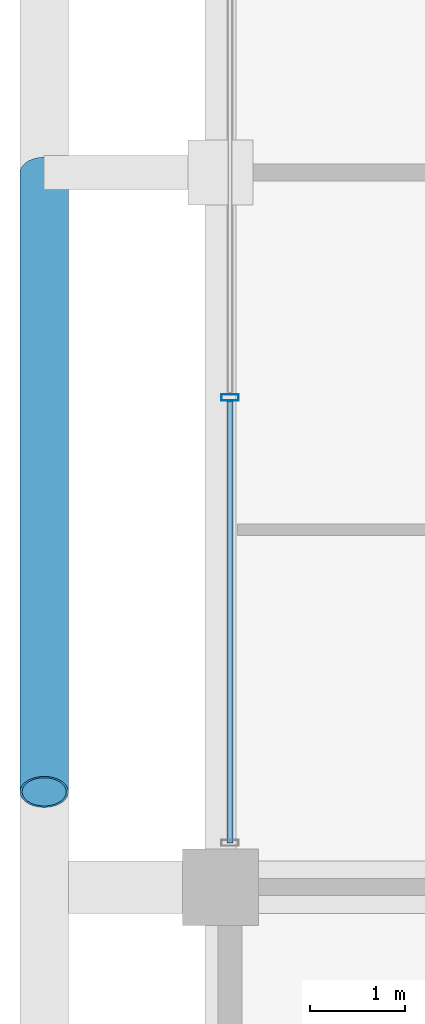
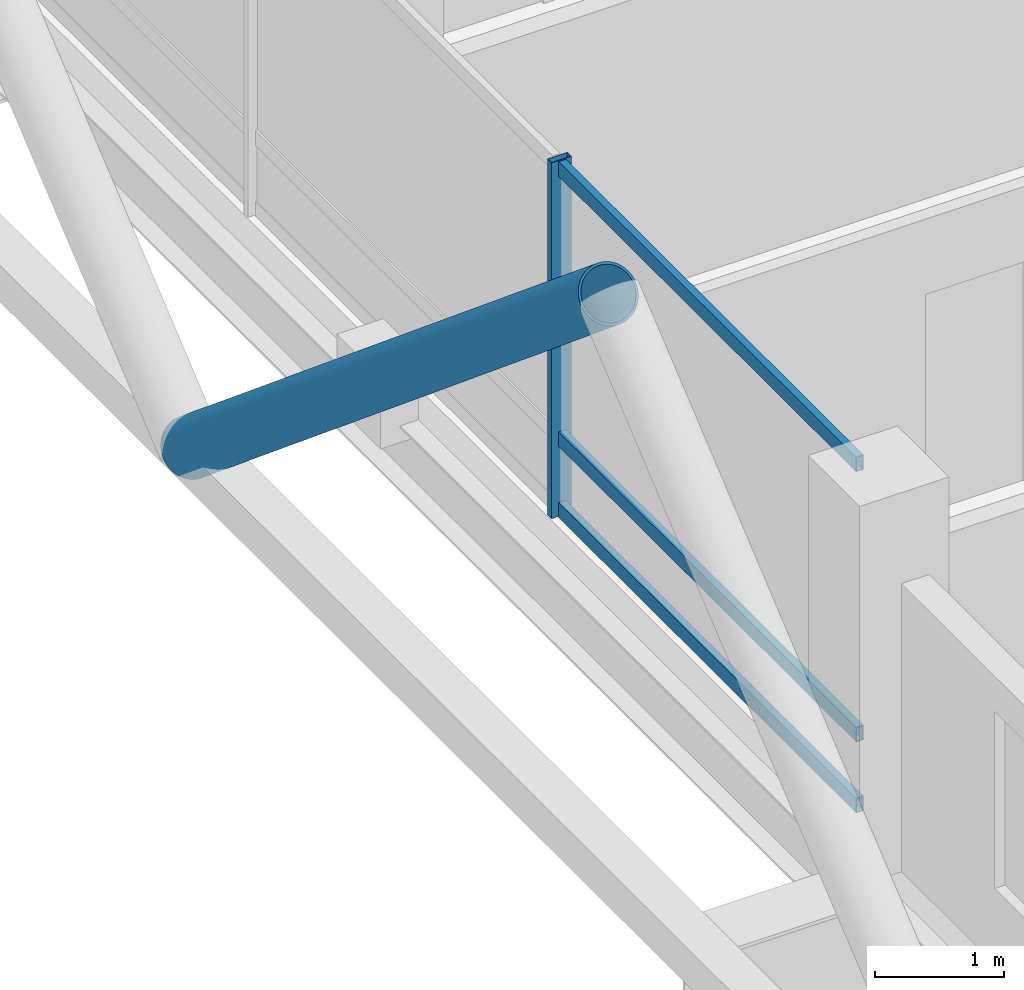
# One storey, part 3 of 21: 5 members, 1 element without a shape of its own.
"""IFC4 building model written with IfcOpenShell, lengths in metres."""

from ifc_helpers import new_model, si_unit, direction, frame, origin, origin_2d, place, context, subcontext, project, spatial, hollow_rectangle, hollow_circle, extrude, material, layer, layer_set, material_profile, profile_set, type_object, element, aggregate, save


model = new_model("IFC4")

# Units and contexts
model_context = context("Model", 3, precision=1e-05, world=origin(), true_north=direction((0.0, 1.0)))
body_context = subcontext(model_context, "Body", "Model", "MODEL_VIEW")
ifc_project = project(units=[si_unit("LENGTHUNIT", "METRE"), si_unit("AREAUNIT", "SQUARE_METRE"), si_unit("VOLUMEUNIT", "CUBIC_METRE"), si_unit("PLANEANGLEUNIT", "RADIAN"), si_unit("MASSUNIT", "GRAM", prefix="KILO")], contexts=[model_context])

# Site, building, storey
site_placement = place(None, origin())
site = spatial("IfcSite", under=ifc_project, at=site_placement, CompositionType="ELEMENT")
building_placement = place(site_placement, origin())
building = spatial("IfcBuilding", under=site, at=building_placement, Name="Barlavira Tower and Art Museum", CompositionType="ELEMENT")
storey_placement = place(building_placement, frame((0.0, 0.0, 99.0)))
storey = spatial("IfcBuildingStorey", under=building, at=storey_placement, Name="L24", CompositionType="ELEMENT", Elevation=99.0)

# Curtain wall, members
ifc_material_1 = material(Name="Low-iron coastal laminated glass", Category="glass")
ifc_layer = layer(ifc_material_1, 0.18994140625, Name="Low-iron coastal laminated glass")
ifc_layer_set = layer_set([ifc_layer], Name="Low-iron coastal laminated glass")
curtain_wall_type = type_object("IfcCurtainWallType", Name="Pale-Metal Unitised Curtain Wall Zone 2", PredefinedType="NOTDEFINED", material=ifc_layer_set)
curtain_wall_placement = place(storey_placement, origin())
curtain_wall = element("IfcCurtainWall", 1, at=curtain_wall_placement, inside=storey, type_object=curtain_wall_type, Name="L24 Curtain Wall CW2-L24-W-B3", PredefinedType="NOTDEFINED")
ifc_material_2 = material(Name="Pale anodised aluminium", Category="aluminium")
ifc_material_profile_1 = material_profile(ifc_material_2, hollow_rectangle(XDim=0.06494140625, YDim=0.179931640625, WallThickness=0.00390625, at=origin_2d()), Name="ALU-MULL 65x180x4")
ifc_profile_set_1 = profile_set([ifc_material_profile_1], Name="Pale anodised aluminium")
member_type_1 = type_object("IfcMemberType", Name="Curtain Wall Pale-Metal Mullion 65x180", PredefinedType="MULLION", material=ifc_profile_set_1)
member_1_placement = place(storey_placement, frame((-20.14990234375, -2.360107421875, 0.0), z_axis=(0.0, 0.0, 1.0), x_axis=(0.0, -1.0, 0.0)))
member_1 = element("IfcMember", 2, at=member_1_placement, type_object=member_type_1, Name="CW2-L24-W-B3 Mullion 2", PredefinedType="MULLION", context=body_context, shape_type="SweptSolid", body=[
    extrude(hollow_rectangle(XDim=0.06494140625, YDim=0.179931640625, WallThickness=0.00390625, at=origin_2d()), origin(), (0.0, 0.0, 1.0), 3.3798828125),
])
ifc_material_profile_2 = material_profile(ifc_material_2, hollow_rectangle(XDim=0.06494140625, YDim=0.139892578125, WallThickness=0.00390625, at=origin_2d()), Name="ALU-TRAN 65x140x4")
ifc_profile_set_2 = profile_set([ifc_material_profile_2], Name="Pale anodised aluminium")
member_type_2 = type_object("IfcMemberType", Name="Curtain Wall Pale-Metal Transom 65x140", PredefinedType="USERDEFINED", material=ifc_profile_set_2)
member_2_placement = place(storey_placement, frame((-20.14990234375, -2.405029296875, 0.070068359375), z_axis=(0.0, -1.0, 0.0), x_axis=(1.0, 0.0, 0.0)))
member_2 = element("IfcMember", 3, at=member_2_placement, type_object=member_type_2, Name="CW2-L24-W-B3 Transom 2.1", ObjectType="TRANSOM", PredefinedType="USERDEFINED", context=body_context, shape_type="SweptSolid", body=[
    extrude(hollow_rectangle(XDim=0.06494140625, YDim=0.139892578125, WallThickness=0.00390625, at=origin_2d()), origin(), (0.0, 0.0, 1.0), 4.6298828125),
])
member_3_placement = place(storey_placement, frame((-20.14990234375, -2.405029296875, 0.743896484375), z_axis=(0.0, -1.0, 0.0), x_axis=(1.0, 0.0, 0.0)))
member_3 = element("IfcMember", 4, at=member_3_placement, type_object=member_type_2, Name="CW2-L24-W-B3 Transom 2.2", ObjectType="TRANSOM", PredefinedType="USERDEFINED", context=body_context, shape_type="SweptSolid", body=[
    extrude(hollow_rectangle(XDim=0.06494140625, YDim=0.139892578125, WallThickness=0.00390625, at=origin_2d()), origin(), (0.0, 0.0, 1.0), 4.6298828125),
])
member_4_placement = place(storey_placement, frame((-20.14990234375, -2.405029296875, 3.31005859375), z_axis=(0.0, -1.0, 0.0), x_axis=(1.0, 0.0, 0.0)))
member_4 = element("IfcMember", 5, at=member_4_placement, type_object=member_type_2, Name="CW2-L24-W-B3 Transom 2.3", ObjectType="TRANSOM", PredefinedType="USERDEFINED", context=body_context, shape_type="SweptSolid", body=[
    extrude(hollow_rectangle(XDim=0.06494140625, YDim=0.139892578125, WallThickness=0.00390625, at=origin_2d()), origin(), (0.0, 0.0, 1.0), 4.6298828125),
])
aggregate(curtain_wall, [member_1, member_2, member_3, member_4])

# Member
ifc_material_3 = material(Name="Steel S355", Category="steel")
ifc_material_profile_3 = material_profile(ifc_material_3, hollow_circle(Radius=0.25390625, WallThickness=0.022216796875, at=origin_2d()), Name="CHS 508.0x22.2")
ifc_profile_set_3 = profile_set([ifc_material_profile_3], Name="Steel S355")
member_type_3 = type_object("IfcMemberType", Name="Pale-Metal Exoskeleton Diagrid Tube CHS 508x22 Steel S355", PredefinedType="BRACE", material=ifc_profile_set_3)
member_5_placement = place(storey_placement, frame((-22.10009765625, 0.0, -0.1201171875), z_axis=(0.0, -0.76918185268, 0.639029950399), x_axis=(1.0, 0.0, 0.0)))
element("IfcMember", 6, at=member_5_placement, inside=storey, type_object=member_type_3, Name="L24 Exoskeleton Diagrid Tube W", PredefinedType="BRACE", context=body_context, shape_type="SweptSolid", body=[
    extrude(hollow_circle(Radius=0.25390625, WallThickness=0.022216796875, at=origin_2d()), origin(), (0.0, 0.0, 1.0), 8.450439453125),
])

save(model, "model.ifc")
